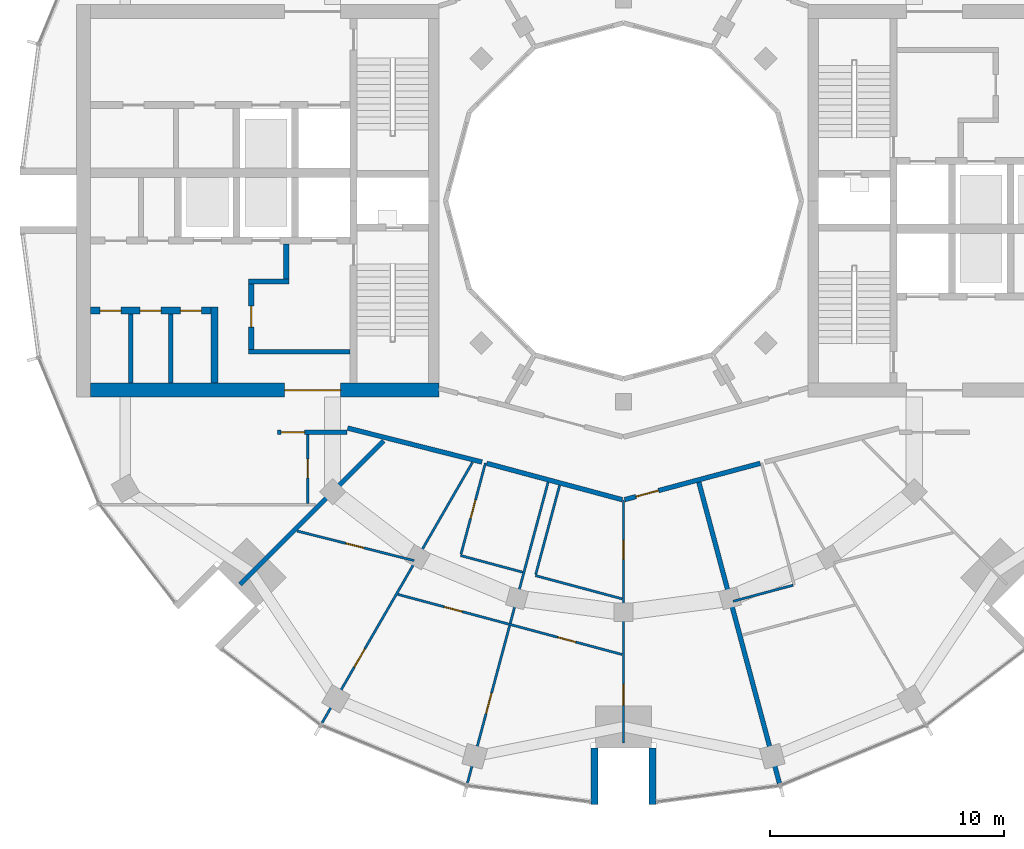
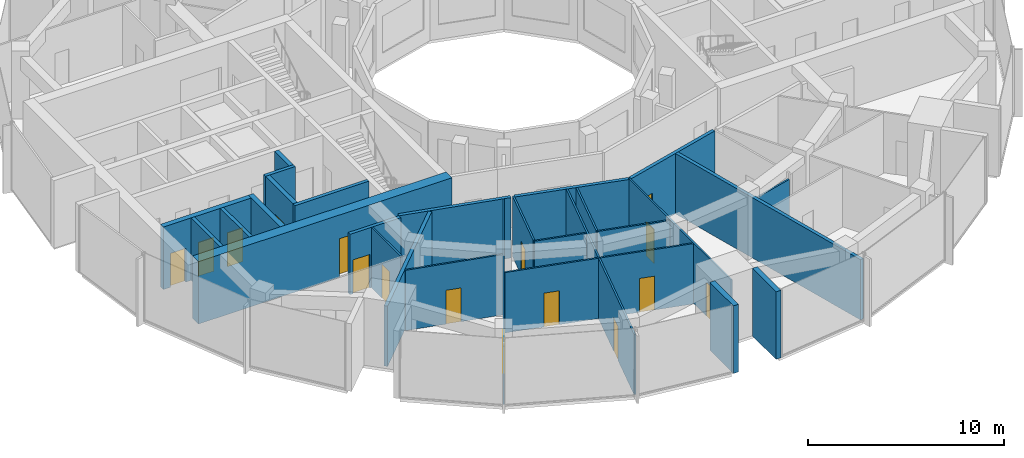
# One storey, part 8 of 15: 28 walls, 16 doors, 16 openings.
"""IFC4 building model written with IfcOpenShell, lengths in metres."""

from ifc_helpers import new_model, si_unit, direction, frame, frame_2d, origin, place, context, subcontext, project, spatial, rectangle, extrude, material, layer, layer_set, type_object, element, fill, save


model = new_model("IFC4")

# Units and contexts
model_context = context("Model", 3, precision=1e-05, world=origin(), true_north=direction((0.0, 1.0)))
body_context = subcontext(model_context, "Body", "Model", "MODEL_VIEW")
ifc_project = project(units=[si_unit("LENGTHUNIT", "METRE"), si_unit("AREAUNIT", "SQUARE_METRE"), si_unit("VOLUMEUNIT", "CUBIC_METRE"), si_unit("PLANEANGLEUNIT", "RADIAN"), si_unit("MASSUNIT", "GRAM", prefix="KILO")], contexts=[model_context])

# Site, building, storey
site_placement = place(None, origin())
site = spatial("IfcSite", under=ifc_project, at=site_placement, CompositionType="ELEMENT")
building_placement = place(site_placement, origin())
building = spatial("IfcBuilding", under=site, at=building_placement, Name="Torre Brocal", CompositionType="ELEMENT")
storey_placement = place(building_placement, frame((0.0, 0.0, 249.89990234375)))
storey = spatial("IfcBuildingStorey", under=building, at=storey_placement, Name="L57", CompositionType="ELEMENT", Elevation=249.89990234375)

# Walls
ifc_material_1 = material(Name="Masonry block", Category="masonry")
ifc_layer_1 = layer(ifc_material_1, 0.199951171875)
ifc_layer_set_1 = layer_set([ifc_layer_1], Name="Masonry block")
wall_type_1 = type_object("IfcWallType", Name="CORE PARTITION 200", PredefinedType="PARTITIONING", material=ifc_layer_set_1)
for number, where, z_axis, x_axis, name in (
    (1, (60.63330078125, 70.14990234375, 0.0), (0.0, 0.0, 1.0), (0.0, -1.0, 0.0), "Wall CP200"),
    (2, (58.916748046875, 70.14990234375, 0.0), (0.0, 0.0, 1.0), (0.0, -1.0, 0.0), "Wall CP200"),
):
    element("IfcWall", number, at=place(storey_placement, frame(where, z_axis=z_axis, x_axis=x_axis)), inside=storey, type_object=wall_type_1, Name=name, PredefinedType="PARTITIONING", context=body_context, shape_type="SweptSolid", body=[
        extrude(rectangle(XDim=2.949951171875, YDim=0.199951171875, at=frame_2d((1.47509765625, 0.0))), origin(), (0.0, 0.0, 1.0), 3.880126953125),
    ])
ifc_material_2 = material(Name="Concrete C60", Category="concrete")
ifc_layer_2 = layer(ifc_material_2, 0.199951171875)
ifc_layer_set_2 = layer_set([ifc_layer_2], Name="Concrete C60")
wall_type_2 = type_object("IfcWallType", Name="CORE WALL 200 C60", PredefinedType="SHEAR", material=ifc_layer_set_2)
wall_1_placement = place(storey_placement, frame((68.300048828125, 68.550048828125, 0.0), z_axis=(0.0, 0.0, 1.0), x_axis=(-1.0, 0.0, 0.0)))
element("IfcWall", 3, at=wall_1_placement, inside=storey, type_object=wall_type_2, Name="Wall CW200-60", PredefinedType="SHEAR", context=body_context, shape_type="SweptSolid", body=[
    extrude(rectangle(XDim=4.35009765625, YDim=0.199951171875, at=frame_2d((2.175048828125, 0.0))), origin(), (0.0, 0.0, 1.0), 3.880126953125),
])
wall_2_placement = place(storey_placement, frame((65.699951171875, 71.550048828125, 0.0), z_axis=(0.0, 0.0, 1.0), x_axis=(-1.0, 0.0, 0.0)))
element("IfcWall", 4, at=wall_2_placement, inside=storey, type_object=wall_type_2, Name="Wall CW200-60", PredefinedType="SHEAR", context=body_context, shape_type="SweptSolid", body=[
    extrude(rectangle(XDim=1.75, YDim=0.199951171875, at=frame_2d((0.875, 0.0))), origin(), (0.0, 0.0, 1.0), 3.880126953125),
])

# Wall, opening, door
ifc_material_3 = material(Name="Concrete C60", Category="concrete")
ifc_layer_3 = layer(ifc_material_3, 0.25)
ifc_layer_set_3 = layer_set([ifc_layer_3], Name="Concrete C60")
wall_type_3 = type_object("IfcWallType", Name="CORE WALL 250 C60", PredefinedType="SHEAR", material=ifc_layer_set_3)
wall_3_placement = place(storey_placement, frame((64.074951171875, 71.449951171875, 0.0), z_axis=(0.0, 0.0, 1.0), x_axis=(0.0, -1.0, 0.0)))
wall_3 = element("IfcWall", 5, at=wall_3_placement, inside=storey, type_object=wall_type_3, Name="Wall CW250-60", PredefinedType="SHEAR", context=body_context, shape_type="SweptSolid", body=[
    extrude(rectangle(XDim=2.800048828125, YDim=0.25, at=frame_2d((1.39990234375, 0.0))), origin(), (0.0, 0.0, 1.0), 3.880126953125),
])
opening_1_placement = place(wall_3_placement, frame((0.949951171875, 0.0, 0.0)))
opening_1 = element("IfcOpeningElement", 6, at=opening_1_placement, cuts=wall_3, Name="Opening W-D08", PredefinedType="OPENING", context=body_context, shape_type="SweptSolid", body=[
    extrude(rectangle(XDim=0.89990234375, YDim=2.10009765625, at=frame_2d((0.449951171875, 1.050048828125))), frame((0.0, 0.135009765625, 0.0), z_axis=(0.0, -1.0, 0.0), x_axis=(1.0, 0.0, 0.0)), (0.0, 0.0, 1.0), 0.27001953125),
])
ifc_material_4 = material(Name="Steel A653", Category="steel")
door_type_1 = type_object("IfcDoorType", Name="LOBBY DOOR FD120 900X2100", OperationType="SINGLE_SWING_RIGHT", PredefinedType="DOOR", material=ifc_material_4)
door_1_placement = place(opening_1_placement, origin())
door_1 = element("IfcDoor", 7, at=door_1_placement, inside=storey, type_object=door_type_1, Name="Door W-D08", OperationType="SINGLE_SWING_LEFT", OverallHeight=2.10009765625, OverallWidth=0.89990234375, PredefinedType="DOOR", context=body_context, shape_type="SweptSolid", body=[
    extrude(rectangle(XDim=0.89990234375, YDim=2.10009765625, at=frame_2d((0.449951171875, 1.050048828125))), frame((0.0, 0.02490234375, 0.0), z_axis=(0.0, -1.0, 0.0), x_axis=(1.0, 0.0, 0.0)), (0.0, 0.0, 1.0), 0.050048828125),
])
fill(opening_1, door_1)

# Walls
wall_4_placement = place(storey_placement, frame((65.574951171875, 73.14990234375, 0.0), z_axis=(0.0, 0.0, 1.0), x_axis=(0.0, -1.0, 0.0)))
element("IfcWall", 8, at=wall_4_placement, inside=storey, type_object=wall_type_3, Name="Wall CW250-60", PredefinedType="SHEAR", context=body_context, shape_type="SweptSolid", body=[
    extrude(rectangle(XDim=1.5, YDim=0.25, at=frame_2d((0.75, 0.0))), origin(), (0.0, 0.0, 1.0), 3.880126953125),
])
ifc_material_5 = material(Name="Concrete C60", Category="concrete")
ifc_layer_4 = layer(ifc_material_5, 0.300048828125)
ifc_layer_set_4 = layer_set([ifc_layer_4], Name="Concrete C60")
wall_type_4 = type_object("IfcWallType", Name="CORE WALL 300 C60", PredefinedType="SHEAR", material=ifc_layer_set_4)
wall_5_placement = place(storey_placement, frame((62.5, 70.449951171875, 0.0), z_axis=(0.0, 0.0, 1.0), x_axis=(0.0, -1.0, 0.0)))
element("IfcWall", 9, at=wall_5_placement, inside=storey, type_object=wall_type_4, Name="Wall CW300-60", PredefinedType="SHEAR", context=body_context, shape_type="SweptSolid", body=[
    extrude(rectangle(XDim=3.25, YDim=0.300048828125, at=frame_2d((1.625, 0.0))), origin(), (0.0, 0.0, 1.0), 3.880126953125),
])

# Wall, openings, doors
wall_6_placement = place(storey_placement, frame((62.35009765625, 70.300048828125, 0.0), z_axis=(0.0, 0.0, 1.0), x_axis=(-1.0, 0.0, 0.0)))
wall_6 = element("IfcWall", 10, at=wall_6_placement, inside=storey, type_object=wall_type_4, Name="Wall CW300-60", PredefinedType="SHEAR", context=body_context, shape_type="SweptSolid", body=[
    extrude(rectangle(XDim=5.150146484375, YDim=0.300048828125, at=frame_2d((2.5751953125, 0.0))), origin(), (0.0, 0.0, 1.0), 3.880126953125),
])
opening_2_placement = place(wall_6_placement, frame((0.408203125, 0.0, 0.0)))
opening_2 = element("IfcOpeningElement", 11, at=opening_2_placement, cuts=wall_6, Name="Opening W-D09", PredefinedType="OPENING", context=body_context, shape_type="SweptSolid", body=[
    extrude(rectangle(XDim=0.89990234375, YDim=2.10009765625, at=frame_2d((0.449951171875, 1.050048828125))), frame((0.0, 0.159912109375, 0.0), z_axis=(0.0, -1.0, 0.0), x_axis=(1.0, 0.0, 0.0)), (0.0, 0.0, 1.0), 0.320068359375),
])
opening_3_placement = place(wall_6_placement, frame((2.125, 0.0, 0.0)))
opening_3 = element("IfcOpeningElement", 12, at=opening_3_placement, cuts=wall_6, Name="Opening W-D10", PredefinedType="OPENING", context=body_context, shape_type="SweptSolid", body=[
    extrude(rectangle(XDim=0.89990234375, YDim=2.10009765625, at=frame_2d((0.449951171875, 1.050048828125))), frame((0.0, 0.159912109375, 0.0), z_axis=(0.0, -1.0, 0.0), x_axis=(1.0, 0.0, 0.0)), (0.0, 0.0, 1.0), 0.320068359375),
])
opening_4_placement = place(wall_6_placement, frame((3.841796875, 0.0, 0.0)))
opening_4 = element("IfcOpeningElement", 13, at=opening_4_placement, cuts=wall_6, Name="Opening W-D11", PredefinedType="OPENING", context=body_context, shape_type="SweptSolid", body=[
    extrude(rectangle(XDim=0.89990234375, YDim=2.10009765625, at=frame_2d((0.449951171875, 1.050048828125))), frame((0.0, 0.159912109375, 0.0), z_axis=(0.0, -1.0, 0.0), x_axis=(1.0, 0.0, 0.0)), (0.0, 0.0, 1.0), 0.320068359375),
])
ifc_material_6 = material(Name="Steel A653", Category="steel")
door_type_2 = type_object("IfcDoorType", Name="ROOM DOOR FD30S 900X2100", OperationType="SINGLE_SWING_LEFT", PredefinedType="DOOR", material=ifc_material_6)
door_2_placement = place(opening_2_placement, origin())
door_2 = element("IfcDoor", 14, at=door_2_placement, inside=storey, type_object=door_type_2, Name="Door W-D09", OperationType="SINGLE_SWING_RIGHT", OverallHeight=2.10009765625, OverallWidth=0.89990234375, PredefinedType="DOOR", context=body_context, shape_type="SweptSolid", body=[
    extrude(rectangle(XDim=0.89990234375, YDim=2.10009765625, at=frame_2d((0.449951171875, 1.050048828125))), frame((0.0, 0.02490234375, 0.0), z_axis=(0.0, -1.0, 0.0), x_axis=(1.0, 0.0, 0.0)), (0.0, 0.0, 1.0), 0.050048828125),
])
fill(opening_2, door_2)
door_3_placement = place(opening_3_placement, origin())
door_3 = element("IfcDoor", 15, at=door_3_placement, inside=storey, type_object=door_type_2, Name="Door W-D10", OperationType="SINGLE_SWING_LEFT", OverallHeight=2.10009765625, OverallWidth=0.89990234375, PredefinedType="DOOR", context=body_context, shape_type="SweptSolid", body=[
    extrude(rectangle(XDim=0.89990234375, YDim=2.10009765625, at=frame_2d((0.449951171875, 1.050048828125))), frame((0.0, 0.02490234375, 0.0), z_axis=(0.0, -1.0, 0.0), x_axis=(1.0, 0.0, 0.0)), (0.0, 0.0, 1.0), 0.050048828125),
])
fill(opening_3, door_3)
door_4_placement = place(opening_4_placement, origin())
door_4 = element("IfcDoor", 16, at=door_4_placement, inside=storey, type_object=door_type_2, Name="Door W-D11", OperationType="SINGLE_SWING_LEFT", OverallHeight=2.10009765625, OverallWidth=0.89990234375, PredefinedType="DOOR", context=body_context, shape_type="SweptSolid", body=[
    extrude(rectangle(XDim=0.89990234375, YDim=2.10009765625, at=frame_2d((0.449951171875, 1.050048828125))), frame((0.0, 0.02490234375, 0.0), z_axis=(0.0, -1.0, 0.0), x_axis=(1.0, 0.0, 0.0)), (0.0, 0.0, 1.0), 0.050048828125),
])
fill(opening_4, door_4)

# Wall, opening, door
ifc_material_7 = material(Name="Concrete C60", Category="concrete")
ifc_layer_5 = layer(ifc_material_7, 0.60009765625)
ifc_layer_set_5 = layer_set([ifc_layer_5], Name="Concrete C60")
wall_type_5 = type_object("IfcWallType", Name="CORE WALL 600 C60", PredefinedType="SHEAR", material=ifc_layer_set_5)
wall_7_placement = place(storey_placement, frame((72.10009765625, 66.89990234375, 0.0), z_axis=(0.0, 0.0, 1.0), x_axis=(-1.0, 0.0, 0.0)))
wall_7 = element("IfcWall", 17, at=wall_7_placement, inside=storey, type_object=wall_type_5, Name="Wall CW600-60", PredefinedType="SHEAR", context=body_context, shape_type="SweptSolid", body=[
    extrude(rectangle(XDim=14.900146484375, YDim=0.60009765625, at=frame_2d((7.4501953125, 0.0))), origin(), (0.0, 0.0, 1.0), 3.880126953125),
])
opening_5_placement = place(wall_7_placement, frame((4.199951171875, 0.0, 0.0)))
opening_5 = element("IfcOpeningElement", 18, at=opening_5_placement, cuts=wall_7, Name="Opening W-D12", PredefinedType="OPENING", context=body_context, shape_type="SweptSolid", body=[
    extrude(rectangle(XDim=2.39990234375, YDim=2.39990234375, at=frame_2d((1.199951171875, 1.199951171875))), frame((0.0, 0.31005859375, 0.0), z_axis=(0.0, -1.0, 0.0), x_axis=(1.0, 0.0, 0.0)), (0.0, 0.0, 1.0), 0.6201171875),
])
ifc_material_8 = material(Name="Steel A653", Category="steel")
door_type_3 = type_object("IfcDoorType", Name="DOUBLE FIRE DOOR FD90 2400X2400", OperationType="DOUBLE_DOOR_SINGLE_SWING", PredefinedType="DOOR", material=ifc_material_8)
door_5_placement = place(opening_5_placement, frame((2.39990234375, 0.0, 0.0), z_axis=(0.0, 0.0, 1.0), x_axis=(-1.0, 0.0, 0.0)))
door_5 = element("IfcDoor", 19, at=door_5_placement, inside=storey, type_object=door_type_3, Name="Door W-D12", OperationType="DOUBLE_DOOR_SINGLE_SWING", OverallHeight=2.39990234375, OverallWidth=2.39990234375, PredefinedType="DOOR", context=body_context, shape_type="SweptSolid", body=[
    extrude(rectangle(XDim=2.39990234375, YDim=2.39990234375, at=frame_2d((1.199951171875, 1.199951171875))), frame((0.0, 0.02490234375, 0.0), z_axis=(0.0, -1.0, 0.0), x_axis=(1.0, 0.0, 0.0)), (0.0, 0.0, 1.0), 0.050048828125),
])
fill(opening_5, door_5)

# Walls
ifc_material_9 = material(Name="Concrete C60", Category="concrete")
ifc_layer_6 = layer(ifc_material_9, 0.300048828125)
ifc_layer_set_6 = layer_set([ifc_layer_6], Name="Concrete C60")
wall_type_6 = type_object("IfcWallType", Name="NOTCH RETURN WALL 300 C60", PredefinedType="NOTDEFINED", material=ifc_layer_set_6)
for number, where, z_axis, x_axis, name in (
    (20, (78.75, 51.60009765625, 0.0), (0.0, 0.0, 1.0), (0.0, -1.0, 0.0), "NOTCH RETURN WALL"),
    (21, (81.25, 51.60009765625, 0.0), (0.0, 0.0, 1.0), (0.0, -1.0, 0.0), "NOTCH RETURN WALL"),
):
    element("IfcWall", number, at=place(storey_placement, frame(where, z_axis=z_axis, x_axis=x_axis)), inside=storey, type_object=wall_type_6, Name=name, PredefinedType="NOTDEFINED", context=body_context, shape_type="SweptSolid", body=[
        extrude(rectangle(XDim=2.415771484375, YDim=0.300048828125, at=frame_2d((1.2080078125, 0.0))), origin(), (0.0, 0.0, 1.0), 4.2001953125),
    ])

# Wall, opening, door
ifc_material_10 = material(Name="Gypsum board", Category="Gypsum")
ifc_layer_7 = layer(ifc_material_10, 0.10009765625)
ifc_layer_set_7 = layer_set([ifc_layer_7], Name="Gypsum board")
wall_type_7 = type_object("IfcWallType", Name="PARTITION 100", PredefinedType="PARTITIONING", material=ifc_layer_set_7)
wall_8_placement = place(storey_placement, frame((66.044677734375, 60.874755859375, 0.0), z_axis=(0.0, 0.0, 1.0), x_axis=(0.969437033678, -0.245340248908, 0.0)))
wall_8 = element("IfcWall", 22, at=wall_8_placement, inside=storey, type_object=wall_type_7, Name="BATHROOM WALL", PredefinedType="PARTITIONING", context=body_context, shape_type="SweptSolid", body=[
    extrude(rectangle(XDim=5.15966796875, YDim=0.10009765625, at=frame_2d((2.579833984375, 0.0))), origin(), (0.0, 0.0, 1.0), 3.75),
])
opening_6_placement = place(wall_8_placement, frame((2.139892578125, 0.0, 0.0)))
opening_6 = element("IfcOpeningElement", 23, at=opening_6_placement, cuts=wall_8, Name="Opening B04-D35", PredefinedType="OPENING", context=body_context, shape_type="SweptSolid", body=[
    extrude(rectangle(XDim=0.800048828125, YDim=2.10009765625, at=frame_2d((0.39990234375, 1.050048828125))), frame((0.0, 0.06005859375, 0.0), z_axis=(0.0, -1.0, 0.0), x_axis=(1.0, 0.0, 0.0)), (0.0, 0.0, 1.0), 0.1201171875),
])
ifc_material_11 = material(Name="Timber", Category="wood")
door_type_4 = type_object("IfcDoorType", Name="BATHROOM DOOR 800X2100", OperationType="SINGLE_SWING_LEFT", PredefinedType="DOOR", material=ifc_material_11)
door_6_placement = place(opening_6_placement, origin())
door_6 = element("IfcDoor", 24, at=door_6_placement, inside=storey, type_object=door_type_4, Name="B04-D35", OperationType="SINGLE_SWING_LEFT", OverallHeight=2.10009765625, OverallWidth=0.800048828125, PredefinedType="DOOR", context=body_context, shape_type="SweptSolid", body=[
    extrude(rectangle(XDim=0.800048828125, YDim=2.10009765625, at=frame_2d((0.39990234375, 1.050048828125))), frame((0.0, 0.02490234375, 0.0), z_axis=(0.0, -1.0, 0.0), x_axis=(1.0, 0.0, 0.0)), (0.0, 0.0, 1.0), 0.050048828125),
])
fill(opening_6, door_6)

wall_9_placement = place(storey_placement, frame((66.5, 62.050048828125, 0.0), z_axis=(0.0, 0.0, 1.0), x_axis=(0.0, 1.0, 0.0)))
wall_9 = element("IfcWall", 25, at=wall_9_placement, inside=storey, type_object=wall_type_7, Name="BATHROOM WALL", PredefinedType="PARTITIONING", context=body_context, shape_type="SweptSolid", body=[
    extrude(rectangle(XDim=2.949951171875, YDim=0.10009765625, at=frame_2d((1.47509765625, 0.0))), origin(), (0.0, 0.0, 1.0), 3.75),
])
opening_7_placement = place(wall_9_placement, frame((1.10009765625, 0.0, 0.0)))
opening_7 = element("IfcOpeningElement", 26, at=opening_7_placement, cuts=wall_9, Name="Opening B04-D38", PredefinedType="OPENING", context=body_context, shape_type="SweptSolid", body=[
    extrude(rectangle(XDim=0.800048828125, YDim=2.10009765625, at=frame_2d((0.39990234375, 1.050048828125))), frame((0.0, 0.06005859375, 0.0), z_axis=(0.0, -1.0, 0.0), x_axis=(1.0, 0.0, 0.0)), (0.0, 0.0, 1.0), 0.1201171875),
])
door_7_placement = place(opening_7_placement, frame((0.800048828125, 0.0, 0.0), z_axis=(0.0, 0.0, 1.0), x_axis=(-1.0, 0.0, 0.0)))
door_7 = element("IfcDoor", 27, at=door_7_placement, inside=storey, type_object=door_type_4, Name="B04-D38", OperationType="SINGLE_SWING_LEFT", OverallHeight=2.10009765625, OverallWidth=0.800048828125, PredefinedType="DOOR", context=body_context, shape_type="SweptSolid", body=[
    extrude(rectangle(XDim=0.800048828125, YDim=2.10009765625, at=frame_2d((0.39990234375, 1.050048828125))), frame((0.0, 0.02490234375, 0.0), z_axis=(0.0, -1.0, 0.0), x_axis=(1.0, 0.0, 0.0)), (0.0, 0.0, 1.0), 0.050048828125),
])
fill(opening_7, door_7)

wall_10_placement = place(storey_placement, frame((67.100830078125, 52.65869140625, 0.0), z_axis=(0.0, 0.0, 1.0), x_axis=(0.499999276258, 0.866025821636, 0.0)))
wall_10 = element("IfcWall", 28, at=wall_10_placement, inside=storey, type_object=wall_type_7, Name="BATHROOM WALL", PredefinedType="PARTITIONING", context=body_context, shape_type="SweptSolid", body=[
    extrude(rectangle(XDim=12.87646484375, YDim=0.10009765625, at=frame_2d((6.438232421875, 0.0))), origin(), (0.0, 0.0, 1.0), 3.75),
])
opening_8_placement = place(wall_10_placement, frame((2.76318359375, 0.0, 0.0)))
opening_8 = element("IfcOpeningElement", 29, at=opening_8_placement, cuts=wall_10, Name="Opening B04-D34", PredefinedType="OPENING", context=body_context, shape_type="SweptSolid", body=[
    extrude(rectangle(XDim=0.89990234375, YDim=2.10009765625, at=frame_2d((0.449951171875, 1.050048828125))), frame((0.0, 0.06005859375, 0.0), z_axis=(0.0, -1.0, 0.0), x_axis=(1.0, 0.0, 0.0)), (0.0, 0.0, 1.0), 0.1201171875),
])
ifc_material_12 = material(Name="Timber", Category="wood")
door_type_5 = type_object("IfcDoorType", Name="ROOM DOOR 900X2100", OperationType="SINGLE_SWING_LEFT", PredefinedType="DOOR", material=ifc_material_12)
door_8_placement = place(opening_8_placement, origin())
door_8 = element("IfcDoor", 30, at=door_8_placement, inside=storey, type_object=door_type_5, Name="B04-D34", OperationType="SINGLE_SWING_LEFT", OverallHeight=2.10009765625, OverallWidth=0.89990234375, PredefinedType="DOOR", context=body_context, shape_type="SweptSolid", body=[
    extrude(rectangle(XDim=0.89990234375, YDim=2.10009765625, at=frame_2d((0.449951171875, 1.050048828125))), frame((0.0, 0.02490234375, 0.0), z_axis=(0.0, -1.0, 0.0), x_axis=(1.0, 0.0, 0.0)), (0.0, 0.0, 1.0), 0.050048828125),
])
fill(opening_8, door_8)

# Wall, openings, doors
wall_11_placement = place(storey_placement, frame((70.34716796875, 58.165283203125, 0.0), z_axis=(0.0, 0.0, 1.0), x_axis=(0.965891429463, -0.2589473817, 0.0)))
wall_11 = element("IfcWall", 31, at=wall_11_placement, inside=storey, type_object=wall_type_7, Name="BATHROOM WALL", PredefinedType="PARTITIONING", context=body_context, shape_type="SweptSolid", body=[
    extrude(rectangle(XDim=9.93359375, YDim=0.10009765625, at=frame_2d((4.966796875, 0.0))), origin(), (0.0, 0.0, 1.0), 3.75),
])
opening_9_placement = place(wall_11_placement, frame((7.08056640625, 0.0, 0.0)))
opening_9 = element("IfcOpeningElement", 32, at=opening_9_placement, cuts=wall_11, Name="Opening B04-D29", PredefinedType="OPENING", context=body_context, shape_type="SweptSolid", body=[
    extrude(rectangle(XDim=0.800048828125, YDim=2.10009765625, at=frame_2d((0.39990234375, 1.050048828125))), frame((0.0, 0.06005859375, 0.0), z_axis=(0.0, -1.0, 0.0), x_axis=(1.0, 0.0, 0.0)), (0.0, 0.0, 1.0), 0.1201171875),
])
opening_10_placement = place(wall_11_placement, frame((2.0537109375, 0.0, 0.0)))
opening_10 = element("IfcOpeningElement", 33, at=opening_10_placement, cuts=wall_11, Name="Opening B04-D32", PredefinedType="OPENING", context=body_context, shape_type="SweptSolid", body=[
    extrude(rectangle(XDim=0.800048828125, YDim=2.10009765625, at=frame_2d((0.39990234375, 1.050048828125))), frame((0.0, 0.06005859375, 0.0), z_axis=(0.0, -1.0, 0.0), x_axis=(1.0, 0.0, 0.0)), (0.0, 0.0, 1.0), 0.1201171875),
])
door_9_placement = place(opening_9_placement, origin())
door_9 = element("IfcDoor", 34, at=door_9_placement, inside=storey, type_object=door_type_4, Name="B04-D29", OperationType="SINGLE_SWING_RIGHT", OverallHeight=2.10009765625, OverallWidth=0.800048828125, PredefinedType="DOOR", context=body_context, shape_type="SweptSolid", body=[
    extrude(rectangle(XDim=0.800048828125, YDim=2.10009765625, at=frame_2d((0.39990234375, 1.050048828125))), frame((0.0, 0.02490234375, 0.0), z_axis=(0.0, -1.0, 0.0), x_axis=(1.0, 0.0, 0.0)), (0.0, 0.0, 1.0), 0.050048828125),
])
fill(opening_9, door_9)
door_10_placement = place(opening_10_placement, origin())
door_10 = element("IfcDoor", 35, at=door_10_placement, inside=storey, type_object=door_type_4, Name="B04-D32", OperationType="SINGLE_SWING_LEFT", OverallHeight=2.10009765625, OverallWidth=0.800048828125, PredefinedType="DOOR", context=body_context, shape_type="SweptSolid", body=[
    extrude(rectangle(XDim=0.800048828125, YDim=2.10009765625, at=frame_2d((0.39990234375, 1.050048828125))), frame((0.0, 0.02490234375, 0.0), z_axis=(0.0, -1.0, 0.0), x_axis=(1.0, 0.0, 0.0)), (0.0, 0.0, 1.0), 0.050048828125),
])
fill(opening_10, door_10)

# Wall, opening, door
wall_12_placement = place(storey_placement, frame((73.0458984375, 59.874755859375, 0.0), z_axis=(0.0, 0.0, 1.0), x_axis=(0.258983170584, 0.965881834053, 0.0)))
wall_12 = element("IfcWall", 36, at=wall_12_placement, inside=storey, type_object=wall_type_7, Name="BATHROOM WALL", PredefinedType="PARTITIONING", context=body_context, shape_type="SweptSolid", body=[
    extrude(rectangle(XDim=4.0498046875, YDim=0.10009765625, at=frame_2d((2.02490234375, 0.0))), origin(), (0.0, 0.0, 1.0), 3.75),
])
opening_11_placement = place(wall_12_placement, frame((1.599853515625, 0.0, 0.0)))
opening_11 = element("IfcOpeningElement", 37, at=opening_11_placement, cuts=wall_12, Name="Opening B04-D33", PredefinedType="OPENING", context=body_context, shape_type="SweptSolid", body=[
    extrude(rectangle(XDim=0.800048828125, YDim=2.10009765625, at=frame_2d((0.39990234375, 1.050048828125))), frame((0.0, 0.06005859375, 0.0), z_axis=(0.0, -1.0, 0.0), x_axis=(1.0, 0.0, 0.0)), (0.0, 0.0, 1.0), 0.1201171875),
])
door_11_placement = place(opening_11_placement, frame((0.800048828125, 0.0, 0.0), z_axis=(0.0, 0.0, 1.0), x_axis=(-1.0, 0.0, 0.0)))
door_11 = element("IfcDoor", 38, at=door_11_placement, inside=storey, type_object=door_type_4, Name="B04-D33", OperationType="SINGLE_SWING_RIGHT", OverallHeight=2.10009765625, OverallWidth=0.800048828125, PredefinedType="DOOR", context=body_context, shape_type="SweptSolid", body=[
    extrude(rectangle(XDim=0.800048828125, YDim=2.10009765625, at=frame_2d((0.39990234375, 1.050048828125))), frame((0.0, 0.02490234375, 0.0), z_axis=(0.0, -1.0, 0.0), x_axis=(1.0, 0.0, 0.0)), (0.0, 0.0, 1.0), 0.050048828125),
])
fill(opening_11, door_11)

# Wall
wall_13_placement = place(storey_placement, frame((73.034912109375, 59.82568359375, 0.0), z_axis=(0.0, 0.0, 1.0), x_axis=(0.965905892915, -0.258893426011, 0.0)))
element("IfcWall", 39, at=wall_13_placement, inside=storey, type_object=wall_type_7, Name="BATHROOM WALL", PredefinedType="PARTITIONING", context=body_context, shape_type="SweptSolid", body=[
    extrude(rectangle(XDim=2.740478515625, YDim=0.10009765625, at=frame_2d((1.3701171875, 0.0))), origin(), (0.0, 0.0, 1.0), 3.75),
])

# Wall, opening, door
wall_14_placement = place(storey_placement, frame((73.321533203125, 50.0810546875, 0.0), z_axis=(0.0, 0.0, 1.0), x_axis=(0.258871185824, 0.965911853717, 0.0)))
wall_14 = element("IfcWall", 40, at=wall_14_placement, inside=storey, type_object=wall_type_7, Name="BATHROOM WALL", PredefinedType="PARTITIONING", context=body_context, shape_type="SweptSolid", body=[
    extrude(rectangle(XDim=13.338134765625, YDim=0.10009765625, at=frame_2d((6.6689453125, 0.0))), origin(), (0.0, 0.0, 1.0), 3.75),
])
opening_12_placement = place(wall_14_placement, frame((3.093994140625, 0.0, 0.0)))
opening_12 = element("IfcOpeningElement", 41, at=opening_12_placement, cuts=wall_14, Name="Opening B04-D31", PredefinedType="OPENING", context=body_context, shape_type="SweptSolid", body=[
    extrude(rectangle(XDim=0.89990234375, YDim=2.10009765625, at=frame_2d((0.449951171875, 1.050048828125))), frame((0.0, 0.06005859375, 0.0), z_axis=(0.0, -1.0, 0.0), x_axis=(1.0, 0.0, 0.0)), (0.0, 0.0, 1.0), 0.1201171875),
])
door_12_placement = place(opening_12_placement, frame((0.89990234375, 0.0, 0.0), z_axis=(0.0, 0.0, 1.0), x_axis=(-1.0, 0.0, 0.0)))
door_12 = element("IfcDoor", 42, at=door_12_placement, inside=storey, type_object=door_type_5, Name="B04-D31", OperationType="SINGLE_SWING_RIGHT", OverallHeight=2.10009765625, OverallWidth=0.89990234375, PredefinedType="DOOR", context=body_context, shape_type="SweptSolid", body=[
    extrude(rectangle(XDim=0.89990234375, YDim=2.10009765625, at=frame_2d((0.449951171875, 1.050048828125))), frame((0.0, 0.02490234375, 0.0), z_axis=(0.0, -1.0, 0.0), x_axis=(1.0, 0.0, 0.0)), (0.0, 0.0, 1.0), 0.050048828125),
])
fill(opening_12, door_12)

# Walls
wall_15_placement = place(storey_placement, frame((76.246826171875, 59.016357421875, 0.0), z_axis=(0.0, 0.0, 1.0), x_axis=(0.258758738598, 0.965941983351, 0.0)))
element("IfcWall", 43, at=wall_15_placement, inside=storey, type_object=wall_type_7, Name="BATHROOM WALL", PredefinedType="PARTITIONING", context=body_context, shape_type="SweptSolid", body=[
    extrude(rectangle(XDim=3.950439453125, YDim=0.10009765625, at=frame_2d((1.97509765625, 0.0))), origin(), (0.0, 0.0, 1.0), 3.75),
])
wall_16_placement = place(storey_placement, frame((76.234130859375, 58.96826171875, 0.0), z_axis=(0.0, 0.0, 1.0), x_axis=(0.965915400995, -0.258857949697, 0.0)))
element("IfcWall", 44, at=wall_16_placement, inside=storey, type_object=wall_type_7, Name="BATHROOM WALL", PredefinedType="PARTITIONING", context=body_context, shape_type="SweptSolid", body=[
    extrude(rectangle(XDim=3.838623046875, YDim=0.10009765625, at=frame_2d((1.91943359375, 0.0))), origin(), (0.0, 0.0, 1.0), 3.75),
])

# Wall, openings, doors
wall_17_placement = place(storey_placement, frame((80.0, 51.800048828125, 0.0), z_axis=(0.0, 0.0, 1.0), x_axis=(0.0, 1.0, 0.0)))
wall_17 = element("IfcWall", 45, at=wall_17_placement, inside=storey, type_object=wall_type_7, Name="BATHROOM WALL", PredefinedType="PARTITIONING", context=body_context, shape_type="SweptSolid", body=[
    extrude(rectangle(XDim=10.404052734375, YDim=0.10009765625, at=frame_2d((5.2021484375, 0.0))), origin(), (0.0, 0.0, 1.0), 3.75),
])
opening_13_placement = place(wall_17_placement, frame((1.614013671875, 0.0, 0.0)))
opening_13 = element("IfcOpeningElement", 46, at=opening_13_placement, cuts=wall_17, Name="Opening B04-D28", PredefinedType="OPENING", context=body_context, shape_type="SweptSolid", body=[
    extrude(rectangle(XDim=0.89990234375, YDim=2.10009765625, at=frame_2d((0.449951171875, 1.050048828125))), frame((0.0, 0.06005859375, 0.0), z_axis=(0.0, -1.0, 0.0), x_axis=(1.0, 0.0, 0.0)), (0.0, 0.0, 1.0), 0.1201171875),
])
opening_14_placement = place(wall_17_placement, frame((7.87158203125, 0.0, 0.0)))
opening_14 = element("IfcOpeningElement", 47, at=opening_14_placement, cuts=wall_17, Name="Opening B04-D30", PredefinedType="OPENING", context=body_context, shape_type="SweptSolid", body=[
    extrude(rectangle(XDim=0.800048828125, YDim=2.10009765625, at=frame_2d((0.39990234375, 1.050048828125))), frame((0.0, 0.06005859375, 0.0), z_axis=(0.0, -1.0, 0.0), x_axis=(1.0, 0.0, 0.0)), (0.0, 0.0, 1.0), 0.1201171875),
])
door_13_placement = place(opening_14_placement, origin())
door_13 = element("IfcDoor", 48, at=door_13_placement, inside=storey, type_object=door_type_4, Name="B04-D30", OperationType="SINGLE_SWING_LEFT", OverallHeight=2.10009765625, OverallWidth=0.800048828125, PredefinedType="DOOR", context=body_context, shape_type="SweptSolid", body=[
    extrude(rectangle(XDim=0.800048828125, YDim=2.10009765625, at=frame_2d((0.39990234375, 1.050048828125))), frame((0.0, 0.02490234375, 0.0), z_axis=(0.0, -1.0, 0.0), x_axis=(1.0, 0.0, 0.0)), (0.0, 0.0, 1.0), 0.050048828125),
])
fill(opening_14, door_13)
door_14_placement = place(opening_13_placement, origin())
door_14 = element("IfcDoor", 49, at=door_14_placement, inside=storey, type_object=door_type_5, Name="B04-D28", OperationType="SINGLE_SWING_RIGHT", OverallHeight=2.10009765625, OverallWidth=0.89990234375, PredefinedType="DOOR", context=body_context, shape_type="SweptSolid", body=[
    extrude(rectangle(XDim=0.89990234375, YDim=2.10009765625, at=frame_2d((0.449951171875, 1.050048828125))), frame((0.0, 0.02490234375, 0.0), z_axis=(0.0, -1.0, 0.0), x_axis=(1.0, 0.0, 0.0)), (0.0, 0.0, 1.0), 0.050048828125),
])
fill(opening_13, door_14)

# Walls
ifc_material_13 = material(Name="Gypsum board", Category="Gypsum")
ifc_layer_8 = layer(ifc_material_13, 0.10009765625)
ifc_layer_set_8 = layer_set([ifc_layer_8], Name="Gypsum board")
wall_type_8 = type_object("IfcWallType", Name="PARTITION 100 UNDER BEAM 820", PredefinedType="PARTITIONING", material=ifc_layer_set_8)
wall_18_placement = place(storey_placement, frame((84.693603515625, 57.870849609375, 0.0), z_axis=(0.0, 0.0, 1.0), x_axis=(0.965896234037, 0.258929459649, 0.0)))
element("IfcWall", 50, at=wall_18_placement, inside=storey, type_object=wall_type_8, Name="BATHROOM WALL", PredefinedType="PARTITIONING", context=body_context, shape_type="SweptSolid", body=[
    extrude(rectangle(XDim=2.650390625, YDim=0.10009765625, at=frame_2d((1.3251953125, 0.0))), origin(), (0.0, 0.0, 1.0), 3.380126953125),
])
ifc_material_14 = material(Name="Gypsum board", Category="Gypsum")
ifc_layer_9 = layer(ifc_material_14, 0.199951171875)
ifc_layer_set_9 = layer_set([ifc_layer_9], Name="Gypsum board")
wall_type_9 = type_object("IfcWallType", Name="PARTITION 200 EI60", PredefinedType="PARTITIONING", material=ifc_layer_set_9)
wall_19_placement = place(storey_placement, frame((63.595703125, 58.595703125, 0.0), z_axis=(0.0, 0.0, 1.0), x_axis=(0.707106781187, 0.707106781187, 0.0)))
element("IfcWall", 51, at=wall_19_placement, inside=storey, type_object=wall_type_9, Name="BATHROOM WALL", PredefinedType="PARTITIONING", context=body_context, shape_type="SweptSolid", body=[
    extrude(rectangle(XDim=8.68896484375, YDim=0.199951171875, at=frame_2d((4.344482421875, 0.0))), origin(), (0.0, 0.0, 1.0), 3.75),
])

# Wall, opening, door
wall_20_placement = place(storey_placement, frame((65.199951171875, 65.10009765625, 0.0), z_axis=(0.0, 0.0, 1.0), x_axis=(1.0, 0.0, 0.0)))
wall_20 = element("IfcWall", 52, at=wall_20_placement, inside=storey, type_object=wall_type_9, Name="FLAT ENTRANCE WALL", PredefinedType="PARTITIONING", context=body_context, shape_type="SweptSolid", body=[
    extrude(rectangle(XDim=2.97998046875, YDim=0.199951171875, at=frame_2d((1.489990234375, 0.0))), origin(), (0.0, 0.0, 1.0), 3.75),
])
opening_15_placement = place(wall_20_placement, frame((0.159912109375, 0.0, 0.0)))
opening_15 = element("IfcOpeningElement", 53, at=opening_15_placement, cuts=wall_20, Name="Opening B04-D37", PredefinedType="OPENING", context=body_context, shape_type="SweptSolid", body=[
    extrude(rectangle(XDim=1.0, YDim=2.10009765625, at=frame_2d((0.5, 1.050048828125))), frame((0.0, 0.10986328125, 0.0), z_axis=(0.0, -1.0, 0.0), x_axis=(1.0, 0.0, 0.0)), (0.0, 0.0, 1.0), 0.219970703125),
])
ifc_material_15 = material(Name="Timber", Category="wood")
door_type_6 = type_object("IfcDoorType", Name="FLAT ENTRY DOOR FD30S 1000X2100", OperationType="SINGLE_SWING_RIGHT", PredefinedType="DOOR", material=ifc_material_15)
door_15_placement = place(opening_15_placement, frame((1.0, 0.0, 0.0), z_axis=(0.0, 0.0, 1.0), x_axis=(-1.0, 0.0, 0.0)))
door_15 = element("IfcDoor", 54, at=door_15_placement, inside=storey, type_object=door_type_6, Name="B04-D37", OperationType="SINGLE_SWING_LEFT", OverallHeight=2.10009765625, OverallWidth=1.0, PredefinedType="DOOR", context=body_context, shape_type="SweptSolid", body=[
    extrude(rectangle(XDim=1.0, YDim=2.10009765625, at=frame_2d((0.5, 1.050048828125))), frame((0.0, 0.02490234375, 0.0), z_axis=(0.0, -1.0, 0.0), x_axis=(1.0, 0.0, 0.0)), (0.0, 0.0, 1.0), 0.050048828125),
])
fill(opening_15, door_15)

# Walls
wall_21_placement = place(storey_placement, frame((68.199951171875, 65.280029296875, 0.0), z_axis=(0.0, 0.0, 1.0), x_axis=(0.969450596516, -0.245286650503, 0.0)))
element("IfcWall", 55, at=wall_21_placement, inside=storey, type_object=wall_type_9, Name="GUESTROOM CORRIDOR WALL", PredefinedType="PARTITIONING", context=body_context, shape_type="SweptSolid", body=[
    extrude(rectangle(XDim=5.92822265625, YDim=0.199951171875, at=frame_2d((2.964111328125, 0.0))), origin(), (0.0, 0.0, 1.0), 3.75),
])
wall_22_placement = place(storey_placement, frame((74.150146484375, 63.7724609375, 0.0), z_axis=(0.0, 0.0, 1.0), x_axis=(0.965801140662, -0.259283930655, 0.0)))
element("IfcWall", 56, at=wall_22_placement, inside=storey, type_object=wall_type_9, Name="CORRIDOR WALL", PredefinedType="PARTITIONING", context=body_context, shape_type="SweptSolid", body=[
    extrude(rectangle(XDim=6.00634765625, YDim=0.199951171875, at=frame_2d((3.003173828125, 0.0))), origin(), (0.0, 0.0, 1.0), 3.75),
])

# Wall, opening, door
wall_23_placement = place(storey_placement, frame((80.04833984375, 62.217041015625, 0.0), z_axis=(0.0, 0.0, 1.0), x_axis=(0.965941520544, 0.258760466242, 0.0)))
wall_23 = element("IfcWall", 57, at=wall_23_placement, inside=storey, type_object=wall_type_9, Name="FLAT ENTRANCE WALL", PredefinedType="PARTITIONING", context=body_context, shape_type="SweptSolid", body=[
    extrude(rectangle(XDim=6.00634765625, YDim=0.199951171875, at=frame_2d((3.003173828125, 0.0))), origin(), (0.0, 0.0, 1.0), 3.75),
])
opening_16_placement = place(wall_23_placement, frame((0.5, 0.0, 0.0)))
opening_16 = element("IfcOpeningElement", 58, at=opening_16_placement, cuts=wall_23, Name="Opening B04-D27", PredefinedType="OPENING", context=body_context, shape_type="SweptSolid", body=[
    extrude(rectangle(XDim=1.0, YDim=2.10009765625, at=frame_2d((0.5, 1.050048828125))), frame((0.0, 0.10986328125, 0.0), z_axis=(0.0, -1.0, 0.0), x_axis=(1.0, 0.0, 0.0)), (0.0, 0.0, 1.0), 0.219970703125),
])
door_16_placement = place(opening_16_placement, frame((1.0, 0.0, 0.0), z_axis=(0.0, 0.0, 1.0), x_axis=(-1.0, 0.0, 0.0)))
door_16 = element("IfcDoor", 59, at=door_16_placement, inside=storey, type_object=door_type_6, Name="B04-D27", OperationType="SINGLE_SWING_RIGHT", OverallHeight=2.10009765625, OverallWidth=1.0, PredefinedType="DOOR", context=body_context, shape_type="SweptSolid", body=[
    extrude(rectangle(XDim=1.0, YDim=2.10009765625, at=frame_2d((0.5, 1.050048828125))), frame((0.0, 0.02490234375, 0.0), z_axis=(0.0, -1.0, 0.0), x_axis=(1.0, 0.0, 0.0)), (0.0, 0.0, 1.0), 0.050048828125),
])
fill(opening_16, door_16)

# Wall
wall_24_placement = place(storey_placement, frame((83.222900390625, 62.9638671875, 0.0), z_axis=(0.0, 0.0, 1.0), x_axis=(0.25865252128, -0.965970430829, 0.0)))
element("IfcWall", 60, at=wall_24_placement, inside=storey, type_object=wall_type_9, Name="BATHROOM WALL", PredefinedType="PARTITIONING", context=body_context, shape_type="SweptSolid", body=[
    extrude(rectangle(XDim=13.338134765625, YDim=0.199951171875, at=frame_2d((6.6689453125, 0.0))), origin(), (0.0, 0.0, 1.0), 3.75),
])

save(model, "model.ifc")
